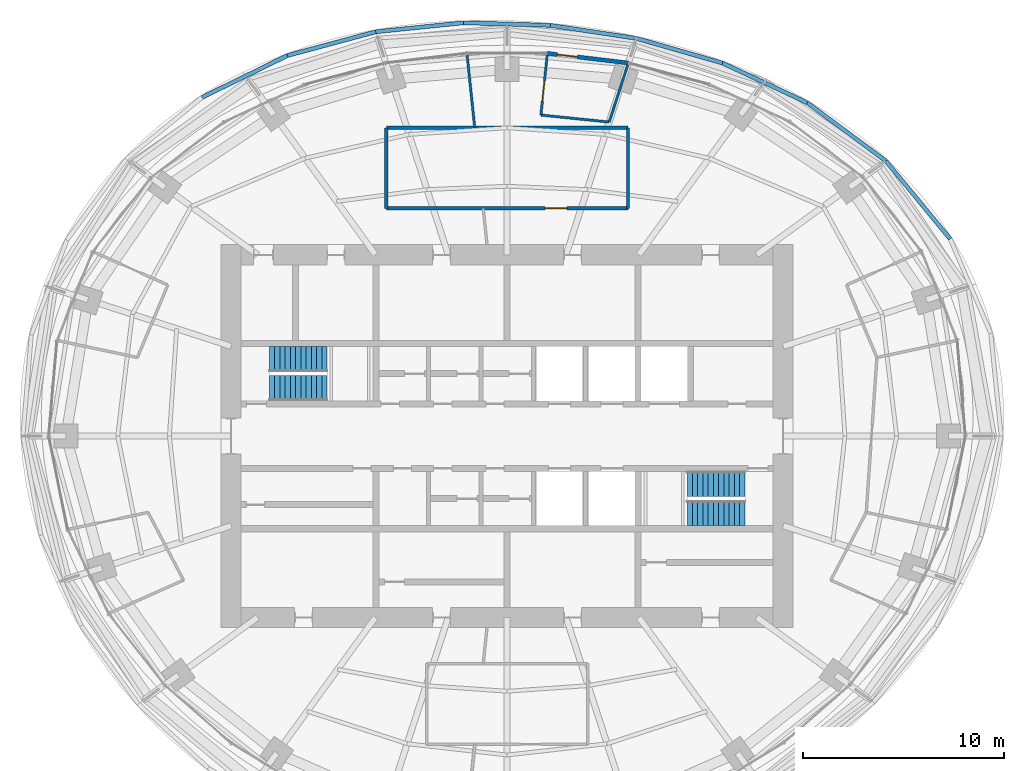
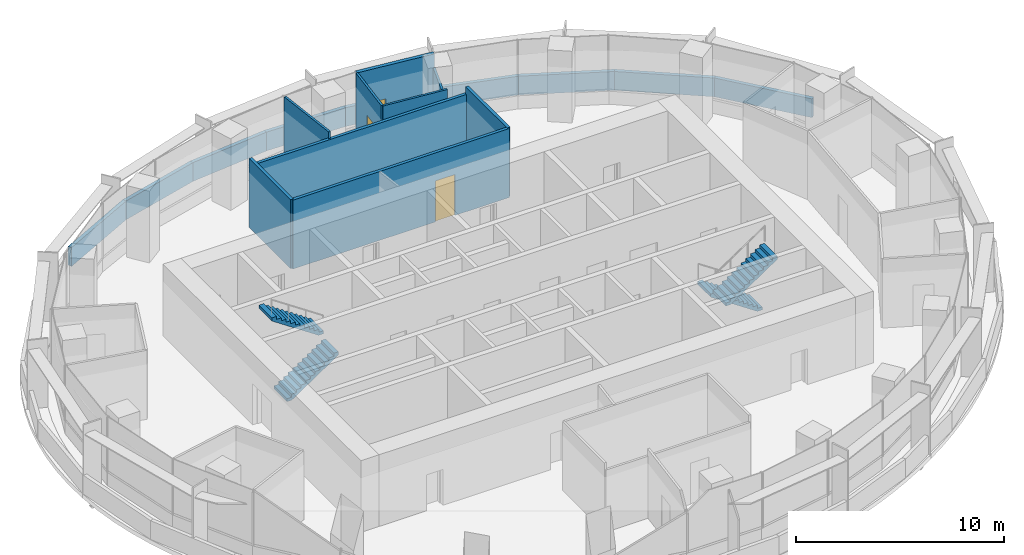
# One storey, part 13 of 15: 18 walls, 4 stair flights, 3 doors, 3 openings, 2 elements without a shape of their own.
"""IFC4 building model written with IfcOpenShell, lengths in metres."""

import ifcopenshell
import ifcopenshell.guid

model = None  # the IFC model being written
_history = None  # IfcOwnerHistory: only IFC2X3 demands one
_inside = {}  # id of a spatial element -> (the spatial element, [elements in it])
_under = {}  # id of a project, library or spatial element -> (it, [spatial elements below it])
_declared = {}  # id of a project -> (the project, [libraries it declares])
_typed = {}  # id of a type object -> (the type object, [elements of that type])
_made_of = {}  # id of a material, layer set ... -> (it, [elements and type objects made of it])


def new_model(schema):
    """Start an empty IFC model of exactly this schema.

    Asked for "IFC4X3", IfcOpenShell would pick the latest addendum, in which some entities
    have other attributes; the version numbers below select the first issue.
    IFC2X3 requires an IfcOwnerHistory on every rooted entity: one is made here for all.
    """
    global model, _history
    if schema == "IFC4X3":
        model = ifcopenshell.file(schema_version=(4, 3, 0, 0))
    else:
        model = ifcopenshell.file(schema=schema)
    _inside.clear()
    _under.clear()
    _declared.clear()
    _typed.clear()
    _made_of.clear()
    _history = None
    if model.schema == "IFC2X3":
        org = make("IfcOrganization", Name="unknown")
        user = make(
            "IfcPersonAndOrganization",
            ThePerson=make("IfcPerson", FamilyName="unknown"),
            TheOrganization=org,
        )
        app = make(
            "IfcApplication",
            ApplicationDeveloper=org,
            Version="unknown",
            ApplicationFullName="unknown",
            ApplicationIdentifier="unknown",
        )
        _history = make(
            "IfcOwnerHistory",
            OwningUser=user,
            OwningApplication=app,
            ChangeAction="ADDED",
            CreationDate=0,
        )
    return model


def make(cls, **values):
    """One entity of the class cls with the attributes given. An attribute that is None is left unset."""
    return model.create_entity(
        cls, **{name: value for name, value in values.items() if value is not None}
    )


def rooted(cls, **values):
    """An entity with a GlobalId (a new one), such as an element, a storey or a relation."""
    return make(cls, GlobalId=ifcopenshell.guid.new(), OwnerHistory=_history, **values)


def si_unit(unit_type, name, prefix=None):
    """IfcSIUnit, for example si_unit("LENGTHUNIT", "METRE", prefix="MILLI")."""
    return make("IfcSIUnit", UnitType=unit_type, Prefix=prefix, Name=name)


def assignment(units):
    """IfcUnitAssignment: the units of a project."""
    return None if units is None else make("IfcUnitAssignment", Units=units)


def point(xyz):
    """IfcCartesianPoint."""
    return None if xyz is None else make("IfcCartesianPoint", Coordinates=xyz)


def direction(xyz):
    """IfcDirection."""
    return None if xyz is None else make("IfcDirection", DirectionRatios=xyz)


def frame(location, z_axis=None, x_axis=None):
    """IfcAxis2Placement3D, a coordinate frame: its origin and axes. An axis left out is left unset."""
    return make(
        "IfcAxis2Placement3D",
        Location=point(location),
        Axis=direction(z_axis),
        RefDirection=direction(x_axis),
    )


def frame_2d(location, x_axis=None):
    """IfcAxis2Placement2D, a coordinate frame in the plane: its origin and x axis."""
    return make(
        "IfcAxis2Placement2D", Location=point(location), RefDirection=direction(x_axis)
    )


def origin():
    """The frame at (0, 0, 0) with its axes left unset."""
    return frame((0.0, 0.0, 0.0))


def place(relative_to, where):
    """IfcLocalPlacement: puts the frame where relative to a parent placement (None: the world)."""
    return make(
        "IfcLocalPlacement", PlacementRelTo=relative_to, RelativePlacement=where
    )


def context(
    kind, dimensions, precision=None, world=None, true_north=None, identifier=None
):
    """IfcGeometricRepresentationContext, for example the 3D "Model" context."""
    return make(
        "IfcGeometricRepresentationContext",
        ContextIdentifier=identifier,
        ContextType=kind,
        CoordinateSpaceDimension=dimensions,
        Precision=precision,
        WorldCoordinateSystem=world,
        TrueNorth=true_north,
    )


def subcontext(parent, identifier, kind, view, scale=None):
    """IfcGeometricRepresentationSubContext, for example "Body" below "Model"."""
    return make(
        "IfcGeometricRepresentationSubContext",
        ContextIdentifier=identifier,
        ContextType=kind,
        ParentContext=parent,
        TargetScale=scale,
        TargetView=view,
    )


def project(units=None, contexts=None):
    """IfcProject with its units and contexts."""
    return rooted(
        "IfcProject",
        Name="project",
        RepresentationContexts=contexts,
        UnitsInContext=assignment(units),
    )


def spatial(cls, under=None, at=None, **own):
    """A site, building, storey or space (cls), placed at a placement, below another one or the project."""
    s = rooted(cls, ObjectPlacement=at, **own)
    if under is not None:
        _under.setdefault(under.id(), (under, []))[1].append(s)
    return s


def polyline(points):
    """IfcPolyline through the points."""
    return make("IfcPolyline", Points=[point(p) for p in points])


def profile(cls, at=None, kind="AREA", **sizes):
    """A parametric profile (cls). Its sizes go by their IFC names, for example OverallWidth=200.0."""
    return make(cls, ProfileType=kind, Position=at, **sizes)


def rectangle(**sizes):
    """IfcRectangleProfileDef."""
    return profile("IfcRectangleProfileDef", **sizes)


def outline(outer, holes=None, kind="AREA"):
    """IfcArbitraryClosedProfileDef: a profile drawn as a closed curve; with holes, ...WithVoids."""
    if holes is None:
        return make("IfcArbitraryClosedProfileDef", ProfileType=kind, OuterCurve=outer)
    return make(
        "IfcArbitraryProfileDefWithVoids",
        ProfileType=kind,
        OuterCurve=outer,
        InnerCurves=holes,
    )


def extrude(swept, where, along, depth):
    """IfcExtrudedAreaSolid: the profile swept, set in the frame where, extruded along a direction by depth."""
    return make(
        "IfcExtrudedAreaSolid",
        SweptArea=swept,
        Position=where,
        ExtrudedDirection=direction(along),
        Depth=depth,
    )


def shape(context_of_items, identifier, shape_type, items):
    """IfcShapeRepresentation: the items that make up one representation, for example the "Body"."""
    return make(
        "IfcShapeRepresentation",
        ContextOfItems=context_of_items,
        RepresentationIdentifier=identifier,
        RepresentationType=shape_type,
        Items=items,
    )


def material(Name=None, Category=None):
    """IfcMaterial."""
    return make("IfcMaterial", Name=Name, Category=Category)


def layer(
    of_material, thickness, ventilated=None, Name=None, Category=None, Priority=None
):
    """IfcMaterialLayer: one layer of a wall or slab, of a material (None: an air gap)."""
    return make(
        "IfcMaterialLayer",
        Material=of_material,
        LayerThickness=thickness,
        IsVentilated=ventilated,
        Name=Name,
        Category=Category,
        Priority=Priority,
    )


def layer_set(layers, Name=None):
    """IfcMaterialLayerSet."""
    return make("IfcMaterialLayerSet", MaterialLayers=layers, LayerSetName=Name)


def made_of(thing, what):
    """Note that an element or type object is made of a material, layer set ...; save() writes the relation."""
    if what is not None:
        _made_of.setdefault(what.id(), (what, []))[1].append(thing)
    return thing


def type_object(cls, material=None, **own):
    """A type object (cls), such as IfcWallType, which elements share."""
    return made_of(rooted(cls, **own), material)


def element(
    cls,
    number,
    at=None,
    inside=None,
    cuts=None,
    type_object=None,
    material=None,
    context=None,
    identifier="Body",
    shape_type=None,
    held_by="IfcProductDefinitionShape",
    body=None,
    shapes=None,
    **own,
):
    """One element of the class cls, such as IfcWall. Its Tag is "e" and its number.

    at: its placement. inside: the storey or other place that contains it. cuts: it is an
    opening in that element (IfcRelVoidsElement). A single representation is given by context,
    identifier, shape_type and body (its items); several are given by shapes. held_by: the class
    of the entity that holds the representations. save() writes the other relations.
    """
    e = rooted(cls, Tag="e%d" % number, ObjectPlacement=at, **own)
    if body is not None:
        shapes = [shape(context, identifier, shape_type, body)]
    if shapes is not None:
        e.Representation = make(held_by, Representations=shapes)
    if inside is not None:
        _inside.setdefault(inside.id(), (inside, []))[1].append(e)
    if cuts is not None:
        rooted(
            "IfcRelVoidsElement", RelatingBuildingElement=cuts, RelatedOpeningElement=e
        )
    if type_object is not None:
        _typed.setdefault(type_object.id(), (type_object, []))[1].append(e)
    return made_of(e, material)


def fill(opening, filler):
    """IfcRelFillsElement: the door or window that sits in an opening."""
    return rooted(
        "IfcRelFillsElement",
        RelatingOpeningElement=opening,
        RelatedBuildingElement=filler,
    )


def aggregate(whole, parts):
    """IfcRelAggregates: a whole, such as a stair, and the parts it consists of."""
    return rooted("IfcRelAggregates", RelatingObject=whole, RelatedObjects=parts)


def save(model, path):
    """Write the relations noted so far, then the file.

    IfcRelAggregates (storeys below a building ...), IfcRelContainedInSpatialStructure (elements
    in a storey), IfcRelDefinesByType, IfcRelAssociatesMaterial and IfcRelDeclares: one each for
    every whole, place, type object, material and project.
    """
    for whole, parts in _under.values():
        aggregate(whole, parts)
    for where, things in _inside.values():
        rooted(
            "IfcRelContainedInSpatialStructure",
            RelatedElements=things,
            RelatingStructure=where,
        )
    for kind, things in _typed.values():
        rooted("IfcRelDefinesByType", RelatedObjects=things, RelatingType=kind)
    for what, things in _made_of.values():
        rooted("IfcRelAssociatesMaterial", RelatedObjects=things, RelatingMaterial=what)
    for by, libraries in _declared.values():
        rooted("IfcRelDeclares", RelatingContext=by, RelatedDefinitions=libraries)
    model.write(path)


model = new_model("IFC4")

# Units and contexts
model_context = context("Model", 3, precision=1e-05, world=origin(), true_north=direction((0.0, 1.0)))
body_context = subcontext(model_context, "Body", "Model", "MODEL_VIEW")
ifc_project = project(units=[si_unit("LENGTHUNIT", "METRE"), si_unit("AREAUNIT", "SQUARE_METRE"), si_unit("VOLUMEUNIT", "CUBIC_METRE"), si_unit("PLANEANGLEUNIT", "RADIAN"), si_unit("MASSUNIT", "GRAM", prefix="KILO")], contexts=[model_context])

# Site, building, storey
site_placement = place(None, origin())
site = spatial("IfcSite", under=ifc_project, at=site_placement, CompositionType="ELEMENT")
building_placement = place(site_placement, origin())
building = spatial("IfcBuilding", under=site, at=building_placement, Name="Marramba Exchange Tower", CompositionType="ELEMENT")
storey_placement = place(building_placement, frame((0.0, 0.0, 251.800048828125)))
storey = spatial("IfcBuildingStorey", under=building, at=storey_placement, Name="L61", CompositionType="ELEMENT", Elevation=251.800048828125)

# Wall
ifc_material_1 = material(Name="Plasterboard on staggered double steel studs, acoustic insulation", Category="steel")
ifc_layer_1 = layer(ifc_material_1, 0.169921875)
ifc_layer_set_1 = layer_set([ifc_layer_1], Name="Acoustic partition 170")
wall_type_1 = type_object("IfcWallType", Name="Acoustic partition 170", PredefinedType="PARTITIONING", material=ifc_layer_set_1)
wall_1_placement = place(storey_placement, frame((6.0, 11.300048828125, 0.0), z_axis=(0.0, 0.0, 1.0), x_axis=(0.0, 1.0, 0.0)))
element("IfcWall", 1, at=wall_1_placement, inside=storey, type_object=wall_type_1, Name="Acoustic partition L61 17", PredefinedType="PARTITIONING", context=body_context, shape_type="SweptSolid", body=[
    extrude(rectangle(XDim=4.0, YDim=0.169921875, at=frame_2d((2.0, 0.0))), origin(), (0.0, 0.0, 1.0), 4.0400390625),
])

# Wall, opening, door
wall_2_placement = place(storey_placement, frame((-6.0, 11.300048828125, 0.0), z_axis=(0.0, 0.0, 1.0), x_axis=(1.0, 0.0, 0.0)))
wall_2 = element("IfcWall", 2, at=wall_2_placement, inside=storey, type_object=wall_type_1, Name="Acoustic partition L61 21", PredefinedType="PARTITIONING", context=body_context, shape_type="SweptSolid", body=[
    extrude(rectangle(XDim=12.0, YDim=0.169921875, at=frame_2d((6.0, 0.0))), origin(), (0.0, 0.0, 1.0), 4.0400390625),
])
opening_1_placement = place(wall_2_placement, frame((7.881103515625, 0.0, 0.0)))
opening_1 = element("IfcOpeningElement", 3, at=opening_1_placement, cuts=wall_2, Name="Opening D15", PredefinedType="OPENING", context=body_context, shape_type="SweptSolid", body=[
    extrude(rectangle(XDim=1.10009765625, YDim=2.39990234375, at=frame_2d((0.550048828125, 1.199951171875))), frame((0.0, 0.094970703125, 0.0), z_axis=(0.0, -1.0, 0.0), x_axis=(1.0, 0.0, 0.0)), (0.0, 0.0, 1.0), 0.18994140625),
])
ifc_material_2 = material(Name="Timber door", Category="wood")
door_type_1 = type_object("IfcDoorType", Name="Glazed meeting room door 1100x2400", OperationType="SINGLE_SWING_LEFT", PredefinedType="DOOR", material=ifc_material_2)
door_1_placement = place(opening_1_placement, origin())
door_1 = element("IfcDoor", 4, at=door_1_placement, inside=storey, type_object=door_type_1, Name="D15 Meeting Room L61", OperationType="SINGLE_SWING_RIGHT", OverallHeight=2.39990234375, OverallWidth=1.10009765625, PredefinedType="DOOR", context=body_context, shape_type="SweptSolid", body=[
    extrude(rectangle(XDim=1.10009765625, YDim=2.39990234375, at=frame_2d((0.550048828125, 1.199951171875))), frame((0.0, 0.02490234375, 0.0), z_axis=(0.0, -1.0, 0.0), x_axis=(1.0, 0.0, 0.0)), (0.0, 0.0, 1.0), 0.050048828125),
])
fill(opening_1, door_1)

# Walls
wall_3_placement = place(storey_placement, frame((6.0, 15.300048828125, 0.0), z_axis=(0.0, 0.0, 1.0), x_axis=(-1.0, 0.0, 0.0)))
element("IfcWall", 5, at=wall_3_placement, inside=storey, type_object=wall_type_1, Name="Acoustic partition L61 22", PredefinedType="PARTITIONING", context=body_context, shape_type="SweptSolid", body=[
    extrude(rectangle(XDim=12.0, YDim=0.169921875, at=frame_2d((6.0, 0.0))), origin(), (0.0, 0.0, 1.0), 3.636962890625),
])
wall_4_placement = place(storey_placement, frame((-6.0, 15.300048828125, 0.0), z_axis=(0.0, 0.0, 1.0), x_axis=(0.0, -1.0, 0.0)))
element("IfcWall", 6, at=wall_4_placement, inside=storey, type_object=wall_type_1, Name="Acoustic partition L61 25", PredefinedType="PARTITIONING", context=body_context, shape_type="SweptSolid", body=[
    extrude(rectangle(XDim=4.0, YDim=0.169921875, at=frame_2d((2.0, 0.0))), origin(), (0.0, 0.0, 1.0), 4.0400390625),
])

# Wall, opening, door
ifc_material_3 = material(Name="Aluminium-framed bronze cladding on steel studs", Category="steel")
ifc_layer_2 = layer(ifc_material_3, 0.199951171875)
ifc_layer_set_2 = layer_set([ifc_layer_2], Name="Door screen wall 200")
wall_type_2 = type_object("IfcWallType", Name="Door screen wall 200", PredefinedType="SOLIDWALL", material=ifc_layer_set_2)
wall_5_placement = place(storey_placement, frame((6.0166015625, 18.51708984375, 0.0), z_axis=(0.0, 0.0, 1.0), x_axis=(-0.992947428898, 0.118555486774, 0.0)))
wall_5 = element("IfcWall", 7, at=wall_5_placement, inside=storey, type_object=wall_type_2, Name="Door screen L61 F07", PredefinedType="SOLIDWALL", context=body_context, shape_type="SweptSolid", body=[
    extrude(rectangle(XDim=4.048583984375, YDim=0.199951171875, at=frame_2d((2.0244140625, 0.0))), origin(), (0.0, 0.0, 1.0), 4.0400390625),
])
opening_2_placement = place(wall_5_placement, frame((2.546142578125, 0.0, 0.0)))
opening_2 = element("IfcOpeningElement", 8, at=opening_2_placement, cuts=wall_5, Name="Opening D22", PredefinedType="OPENING", context=body_context, shape_type="SweptSolid", body=[
    extrude(rectangle(XDim=1.0, YDim=2.10009765625, at=frame_2d((0.5, 1.050048828125))), frame((0.0, 0.10986328125, 0.0), z_axis=(0.0, -1.0, 0.0), x_axis=(1.0, 0.0, 0.0)), (0.0, 0.0, 1.0), 0.219970703125),
])
ifc_material_4 = material(Name="Aluminium-framed glazed door, bronze", Category="aluminium")
door_type_2 = type_object("IfcDoorType", Name="Roof access door (maintenance only) 1000x2100", OperationType="SINGLE_SWING_LEFT", PredefinedType="DOOR", material=ifc_material_4)
door_2_placement = place(opening_2_placement, frame((1.0, 0.0, 0.0), z_axis=(0.0, 0.0, 1.0), x_axis=(-1.0, 0.0, 0.0)))
door_2 = element("IfcDoor", 9, at=door_2_placement, inside=storey, type_object=door_type_2, Name="Roof access door (maintenance only) L61", OperationType="SINGLE_SWING_RIGHT", OverallHeight=2.10009765625, OverallWidth=1.0, PredefinedType="DOOR", context=body_context, shape_type="SweptSolid", body=[
    extrude(rectangle(XDim=1.0, YDim=2.10009765625, at=frame_2d((0.5, 1.050048828125))), frame((0.0, 0.025146484375, 0.0), z_axis=(0.0, -1.0, 0.0), x_axis=(1.0, 0.0, 0.0)), (0.0, 0.0, 1.0), 0.050048828125),
])
fill(opening_2, door_2)

# Walls
ifc_material_5 = material(Name="Plasterboard on steel studs", Category="steel")
ifc_layer_3 = layer(ifc_material_5, 0.1201171875)
ifc_layer_set_3 = layer_set([ifc_layer_3], Name="Partition 120")
wall_type_3 = type_object("IfcWallType", Name="Partition 120", PredefinedType="PARTITIONING", material=ifc_layer_set_3)
wall_6_placement = place(storey_placement, frame((5.064697265625, 15.587646484375, 0.0), z_axis=(0.0, 0.0, 1.0), x_axis=(0.308992226232, 0.951064563596, 0.0)))
element("IfcWall", 10, at=wall_6_placement, inside=storey, type_object=wall_type_3, Name="Partition L61 18", PredefinedType="PARTITIONING", context=body_context, shape_type="SweptSolid", body=[
    extrude(rectangle(XDim=3.0, YDim=0.1201171875, at=frame_2d((1.5, 0.0))), origin(), (0.0, 0.0, 1.0), 3.239990234375),
])
wall_7_placement = place(storey_placement, frame((1.6748046875, 15.933837890625, 0.0), z_axis=(0.0, 0.0, 1.0), x_axis=(0.994825722153, -0.101596173858, 0.0)))
element("IfcWall", 11, at=wall_7_placement, inside=storey, type_object=wall_type_3, Name="Partition L61 19", PredefinedType="PARTITIONING", context=body_context, shape_type="SweptSolid", body=[
    extrude(rectangle(XDim=3.407470703125, YDim=0.1201171875, at=frame_2d((1.70361328125, 0.0))), origin(), (0.0, 0.0, 1.0), 4.0400390625),
])

# Wall, opening, door
wall_8_placement = place(storey_placement, frame((1.98828125, 18.91748046875, 0.0), z_axis=(0.0, 0.0, 1.0), x_axis=(-0.104489920156, -0.994525945657, 0.0)))
wall_8 = element("IfcWall", 12, at=wall_8_placement, inside=storey, type_object=wall_type_3, Name="Partition L61 20", PredefinedType="PARTITIONING", context=body_context, shape_type="SweptSolid", body=[
    extrude(rectangle(XDim=3.0, YDim=0.1201171875, at=frame_2d((1.5, 0.0))), origin(), (0.0, 0.0, 1.0), 4.0400390625),
])
opening_3_placement = place(wall_8_placement, frame((1.300048828125, 0.0, 0.0)))
opening_3 = element("IfcOpeningElement", 13, at=opening_3_placement, cuts=wall_8, Name="Opening D9", PredefinedType="OPENING", context=body_context, shape_type="SweptSolid", body=[
    extrude(rectangle(XDim=1.0, YDim=2.39990234375, at=frame_2d((0.5, 1.199951171875))), frame((0.0, 0.070068359375, 0.0), z_axis=(0.0, -1.0, 0.0), x_axis=(1.0, 0.0, 0.0)), (0.0, 0.0, 1.0), 0.14013671875),
])
door_type_3 = type_object("IfcDoorType", Name="Room door 1000x2400", OperationType="SINGLE_SWING_LEFT", PredefinedType="DOOR", material=ifc_material_2)
door_3_placement = place(opening_3_placement, origin())
door_3 = element("IfcDoor", 14, at=door_3_placement, inside=storey, type_object=door_type_3, Name="D9 Roof Maintenance Store L61", OperationType="SINGLE_SWING_RIGHT", OverallHeight=2.39990234375, OverallWidth=1.0, PredefinedType="DOOR", context=body_context, shape_type="SweptSolid", body=[
    extrude(rectangle(XDim=1.0, YDim=2.39990234375, at=frame_2d((0.5, 1.199951171875))), frame((0.0, 0.02490234375, 0.0), z_axis=(0.0, -1.0, 0.0), x_axis=(1.0, 0.0, 0.0)), (0.0, 0.0, 1.0), 0.050048828125),
])
fill(opening_3, door_3)

# Walls
wall_9_placement = place(storey_placement, frame((-1.608154296875, 15.300048828125, 0.0), z_axis=(0.0, 0.0, 1.0), x_axis=(-0.104506591748, 0.994524193915, 0.0)))
element("IfcWall", 15, at=wall_9_placement, inside=storey, type_object=wall_type_3, Name="Partition L61 23", PredefinedType="PARTITIONING", context=body_context, shape_type="SweptSolid", body=[
    extrude(rectangle(XDim=3.637451171875, YDim=0.1201171875, at=frame_2d((1.81884765625, 0.0))), origin(), (0.0, 0.0, 1.0), 4.0400390625),
])
ifc_material_6 = material(Name="Concrete N40", Category="concrete")
ifc_layer_4 = layer(ifc_material_6, 0.199951171875)
ifc_layer_set_4 = layer_set([ifc_layer_4], Name="Roof parapet 200")
wall_type_4 = type_object("IfcWallType", Name="Roof parapet 200", PredefinedType="PARAPET", material=ifc_layer_set_4)
wall_10_placement = place(storey_placement, frame((21.986328125, 9.788818359375, 0.0), z_axis=(0.0, 0.0, 1.0), x_axis=(-0.63611342946, 0.771595557829, 0.0)))
element("IfcWall", 16, at=wall_10_placement, inside=storey, type_object=wall_type_4, Name="Parapet L61 F03", PredefinedType="PARAPET", context=body_context, shape_type="SweptSolid", body=[
    extrude(rectangle(XDim=5.01318359375, YDim=0.199951171875, at=frame_2d((2.506591796875, 0.0))), origin(), (0.0, 0.0, 1.0), 1.099853515625),
])
wall_11_placement = place(storey_placement, frame((18.79736328125, 13.656982421875, 0.0), z_axis=(0.0, 0.0, 1.0), x_axis=(-0.803703322081, 0.595030226187, 0.0)))
element("IfcWall", 17, at=wall_11_placement, inside=storey, type_object=wall_type_4, Name="Parapet L61 F04", PredefinedType="PARAPET", context=body_context, shape_type="SweptSolid", body=[
    extrude(rectangle(XDim=4.85302734375, YDim=0.199951171875, at=frame_2d((2.426513671875, 0.0))), origin(), (0.0, 0.0, 1.0), 1.099853515625),
])
wall_12_placement = place(storey_placement, frame((14.89697265625, 16.544677734375, 0.0), z_axis=(0.0, 0.0, 1.0), x_axis=(-0.905699241615, 0.423920846075, 0.0)))
element("IfcWall", 18, at=wall_12_placement, inside=storey, type_object=wall_type_4, Name="Parapet L61 F05", PredefinedType="PARAPET", context=body_context, shape_type="SweptSolid", body=[
    extrude(rectangle(XDim=4.645751953125, YDim=0.199951171875, at=frame_2d((2.32275390625, 0.0))), origin(), (0.0, 0.0, 1.0), 1.099853515625),
])
wall_13_placement = place(storey_placement, frame((10.689208984375, 18.51416015625, 0.0), z_axis=(0.0, 0.0, 1.0), x_axis=(-0.961235488966, 0.275728734, 0.0)))
element("IfcWall", 19, at=wall_13_placement, inside=storey, type_object=wall_type_4, Name="Parapet L61 F06", PredefinedType="PARAPET", context=body_context, shape_type="SweptSolid", body=[
    extrude(rectangle(XDim=4.447509765625, YDim=0.199951171875, at=frame_2d((2.2236328125, 0.0))), origin(), (0.0, 0.0, 1.0), 1.099853515625),
])
wall_14_placement = place(storey_placement, frame((6.4140625, 19.740478515625, 0.0), z_axis=(0.0, 0.0, 1.0), x_axis=(-0.988764912563, 0.149478920538, 0.0)))
element("IfcWall", 20, at=wall_14_placement, inside=storey, type_object=wall_type_4, Name="Parapet L61 F07", PredefinedType="PARAPET", context=body_context, shape_type="SweptSolid", body=[
    extrude(rectangle(XDim=4.320068359375, YDim=0.199951171875, at=frame_2d((2.16015625, 0.0))), origin(), (0.0, 0.0, 1.0), 1.099853515625),
])
wall_15_placement = place(storey_placement, frame((2.142578125, 20.38623046875, 0.0), z_axis=(0.0, 0.0, 1.0), x_axis=(-0.999549009475, 0.030029613018, 0.0)))
element("IfcWall", 21, at=wall_15_placement, inside=storey, type_object=wall_type_4, Name="Parapet L61 F08", PredefinedType="PARAPET", context=body_context, shape_type="SweptSolid", body=[
    extrude(rectangle(XDim=4.30078125, YDim=0.199951171875, at=frame_2d((2.150390625, 0.0))), origin(), (0.0, 0.0, 1.0), 1.099853515625),
])
wall_16_placement = place(storey_placement, frame((-2.15625, 20.515380859375, 0.0), z_axis=(0.0, 0.0, 1.0), x_axis=(-0.994778251987, -0.102059930306, 0.0)))
element("IfcWall", 22, at=wall_16_placement, inside=storey, type_object=wall_type_4, Name="Parapet L61 F09", PredefinedType="PARAPET", context=body_context, shape_type="SweptSolid", body=[
    extrude(rectangle(XDim=4.38720703125, YDim=0.199951171875, at=frame_2d((2.193603515625, 0.0))), origin(), (0.0, 0.0, 1.0), 1.099853515625),
])
wall_17_placement = place(storey_placement, frame((-6.5205078125, 20.067626953125, 0.0), z_axis=(0.0, 0.0, 1.0), x_axis=(-0.965810667064, -0.259248443363, 0.0)))
element("IfcWall", 23, at=wall_17_placement, inside=storey, type_object=wall_type_4, Name="Parapet L61 F10", PredefinedType="PARAPET", context=body_context, shape_type="SweptSolid", body=[
    extrude(rectangle(XDim=4.541015625, YDim=0.199951171875, at=frame_2d((2.2705078125, 0.0))), origin(), (0.0, 0.0, 1.0), 1.099853515625),
])
wall_18_placement = place(storey_placement, frame((-10.90625, 18.890380859375, 0.0), z_axis=(0.0, 0.0, 1.0), x_axis=(-0.897716767465, -0.440573042085, 0.0)))
element("IfcWall", 24, at=wall_18_placement, inside=storey, type_object=wall_type_4, Name="Parapet L61 F11", PredefinedType="PARAPET", context=body_context, shape_type="SweptSolid", body=[
    extrude(rectangle(XDim=4.714599609375, YDim=0.199951171875, at=frame_2d((2.357421875, 0.0))), origin(), (0.0, 0.0, 1.0), 1.099853515625),
])

# Stair, stair flights
ifc_material_7 = material(Name="Concrete N40 (40 MPa)", Category="concrete")
stair_type_1 = type_object("IfcStairType", Name="Exit stair ST1 4200 x 1250", PredefinedType="HALF_TURN_STAIR", material=ifc_material_7)
stair_1_placement = place(storey_placement, origin())
stair_1 = element("IfcStair", 25, at=stair_1_placement, inside=storey, type_object=stair_type_1, Name="Exit stair ST1 L61", PredefinedType="HALF_TURN_STAIR")
stair_flight_type_1 = type_object("IfcStairFlightType", Name="ST1 stair flight 1750 riser 1250 wide", PredefinedType="STRAIGHT", material=ifc_material_7)
stair_flight_1_placement = place(storey_placement, frame((-11.800048828125, 2.375, 0.0), z_axis=(0.0, 0.0, 1.0), x_axis=(1.0, 0.0, 0.0)))
stair_flight_1 = element("IfcStairFlight", 26, at=stair_flight_1_placement, type_object=stair_flight_type_1, Name="ST1 flight 1", NumberOfRisers=12, NumberOfTreads=11, PredefinedType="STRAIGHT", RiserHeight=0.175, TreadLength=0.26, context=body_context, shape_type="SweptSolid", body=[
    extrude(outline(polyline([(0.0, 0.0), (0.0, 0.175048828125), (0.260009765625, 0.175048828125), (0.260009765625, 0.35009765625), (0.52001953125, 0.35009765625), (0.52001953125, 0.52490234375), (0.780029296875, 0.52490234375), (0.780029296875, 0.699951171875), (1.0400390625, 0.699951171875), (1.0400390625, 0.875), (1.300048828125, 0.875), (1.300048828125, 1.050048828125), (1.56005859375, 1.050048828125), (1.56005859375, 1.22509765625), (1.820068359375, 1.22509765625), (1.820068359375, 1.39990234375), (2.080078125, 1.39990234375), (2.080078125, 1.574951171875), (2.340087890625, 1.574951171875), (2.340087890625, 1.75), (2.60009765625, 1.75), (2.60009765625, 1.925048828125), (2.860107421875, 1.925048828125), (2.860107421875, 2.10009765625), (2.860107421875, 1.744384765625), (0.2685546875, 0.0), (0.0, 0.0)])), frame((0.0, 0.625, 0.0), z_axis=(0.0, -1.0, 0.0), x_axis=(1.0, 0.0, 0.0)), (0.0, 0.0, 1.0), 1.25),
])
stair_flight_2_placement = place(storey_placement, frame((-8.93994140625, 3.824951171875, 2.099853515625), z_axis=(0.0, 0.0, 1.0), x_axis=(-1.0, 0.0, 0.0)))
stair_flight_2 = element("IfcStairFlight", 27, at=stair_flight_2_placement, type_object=stair_flight_type_1, Name="ST1 flight 2", NumberOfRisers=12, NumberOfTreads=11, PredefinedType="STRAIGHT", RiserHeight=0.175, TreadLength=0.26, context=body_context, shape_type="SweptSolid", body=[
    extrude(outline(polyline([(0.0, 0.0), (0.0, 0.175048828125), (0.260009765625, 0.175048828125), (0.260009765625, 0.35009765625), (0.52001953125, 0.35009765625), (0.52001953125, 0.52490234375), (0.780029296875, 0.52490234375), (0.780029296875, 0.699951171875), (1.0400390625, 0.699951171875), (1.0400390625, 0.875), (1.300048828125, 0.875), (1.300048828125, 1.050048828125), (1.56005859375, 1.050048828125), (1.56005859375, 1.22509765625), (1.820068359375, 1.22509765625), (1.820068359375, 1.39990234375), (2.080078125, 1.39990234375), (2.080078125, 1.574951171875), (2.340087890625, 1.574951171875), (2.340087890625, 1.75), (2.60009765625, 1.75), (2.60009765625, 1.925048828125), (2.860107421875, 1.925048828125), (2.860107421875, 2.10009765625), (2.860107421875, 1.744384765625), (0.2685546875, 0.0), (0.0, 0.0)])), frame((0.0, 0.625, 0.0), z_axis=(0.0, -1.0, 0.0), x_axis=(1.0, 0.0, 0.0)), (0.0, 0.0, 1.0), 1.25),
])
aggregate(stair_1, [stair_flight_1, stair_flight_2])

stair_type_2 = type_object("IfcStairType", Name="Exit stair ST2 4200 x 1250", PredefinedType="HALF_TURN_STAIR", material=ifc_material_7)
stair_2_placement = place(storey_placement, origin())
stair_2 = element("IfcStair", 28, at=stair_2_placement, inside=storey, type_object=stair_type_2, Name="Exit stair ST2 L61", PredefinedType="HALF_TURN_STAIR")
stair_flight_type_2 = type_object("IfcStairFlightType", Name="ST2 stair flight 1750 riser 1250 wide", PredefinedType="STRAIGHT", material=ifc_material_7)
stair_flight_3_placement = place(storey_placement, frame((11.800048828125, -2.375, 0.0), z_axis=(0.0, 0.0, 1.0), x_axis=(-1.0, 0.0, 0.0)))
stair_flight_3 = element("IfcStairFlight", 29, at=stair_flight_3_placement, type_object=stair_flight_type_2, Name="ST2 flight 1", NumberOfRisers=12, NumberOfTreads=11, PredefinedType="STRAIGHT", RiserHeight=0.175, TreadLength=0.26, context=body_context, shape_type="SweptSolid", body=[
    extrude(outline(polyline([(0.0, 0.0), (0.0, 0.175048828125), (0.260009765625, 0.175048828125), (0.260009765625, 0.35009765625), (0.52001953125, 0.35009765625), (0.52001953125, 0.52490234375), (0.780029296875, 0.52490234375), (0.780029296875, 0.699951171875), (1.0400390625, 0.699951171875), (1.0400390625, 0.875), (1.300048828125, 0.875), (1.300048828125, 1.050048828125), (1.56005859375, 1.050048828125), (1.56005859375, 1.22509765625), (1.820068359375, 1.22509765625), (1.820068359375, 1.39990234375), (2.080078125, 1.39990234375), (2.080078125, 1.574951171875), (2.340087890625, 1.574951171875), (2.340087890625, 1.75), (2.60009765625, 1.75), (2.60009765625, 1.925048828125), (2.860107421875, 1.925048828125), (2.860107421875, 2.10009765625), (2.860107421875, 1.744384765625), (0.2685546875, 0.0), (0.0, 0.0)])), frame((0.0, 0.625, 0.0), z_axis=(0.0, -1.0, 0.0), x_axis=(1.0, 0.0, 0.0)), (0.0, 0.0, 1.0), 1.25),
])
stair_flight_4_placement = place(storey_placement, frame((8.93994140625, -3.824951171875, 2.099853515625), z_axis=(0.0, 0.0, 1.0), x_axis=(1.0, 0.0, 0.0)))
stair_flight_4 = element("IfcStairFlight", 30, at=stair_flight_4_placement, type_object=stair_flight_type_2, Name="ST2 flight 2", NumberOfRisers=12, NumberOfTreads=11, PredefinedType="STRAIGHT", RiserHeight=0.175, TreadLength=0.26, context=body_context, shape_type="SweptSolid", body=[
    extrude(outline(polyline([(0.0, 0.0), (0.0, 0.175048828125), (0.260009765625, 0.175048828125), (0.260009765625, 0.35009765625), (0.52001953125, 0.35009765625), (0.52001953125, 0.52490234375), (0.780029296875, 0.52490234375), (0.780029296875, 0.699951171875), (1.0400390625, 0.699951171875), (1.0400390625, 0.875), (1.300048828125, 0.875), (1.300048828125, 1.050048828125), (1.56005859375, 1.050048828125), (1.56005859375, 1.22509765625), (1.820068359375, 1.22509765625), (1.820068359375, 1.39990234375), (2.080078125, 1.39990234375), (2.080078125, 1.574951171875), (2.340087890625, 1.574951171875), (2.340087890625, 1.75), (2.60009765625, 1.75), (2.60009765625, 1.925048828125), (2.860107421875, 1.925048828125), (2.860107421875, 2.10009765625), (2.860107421875, 1.744384765625), (0.2685546875, 0.0), (0.0, 0.0)])), frame((0.0, 0.625, 0.0), z_axis=(0.0, -1.0, 0.0), x_axis=(1.0, 0.0, 0.0)), (0.0, 0.0, 1.0), 1.25),
])
aggregate(stair_2, [stair_flight_3, stair_flight_4])

save(model, "model.ifc")
